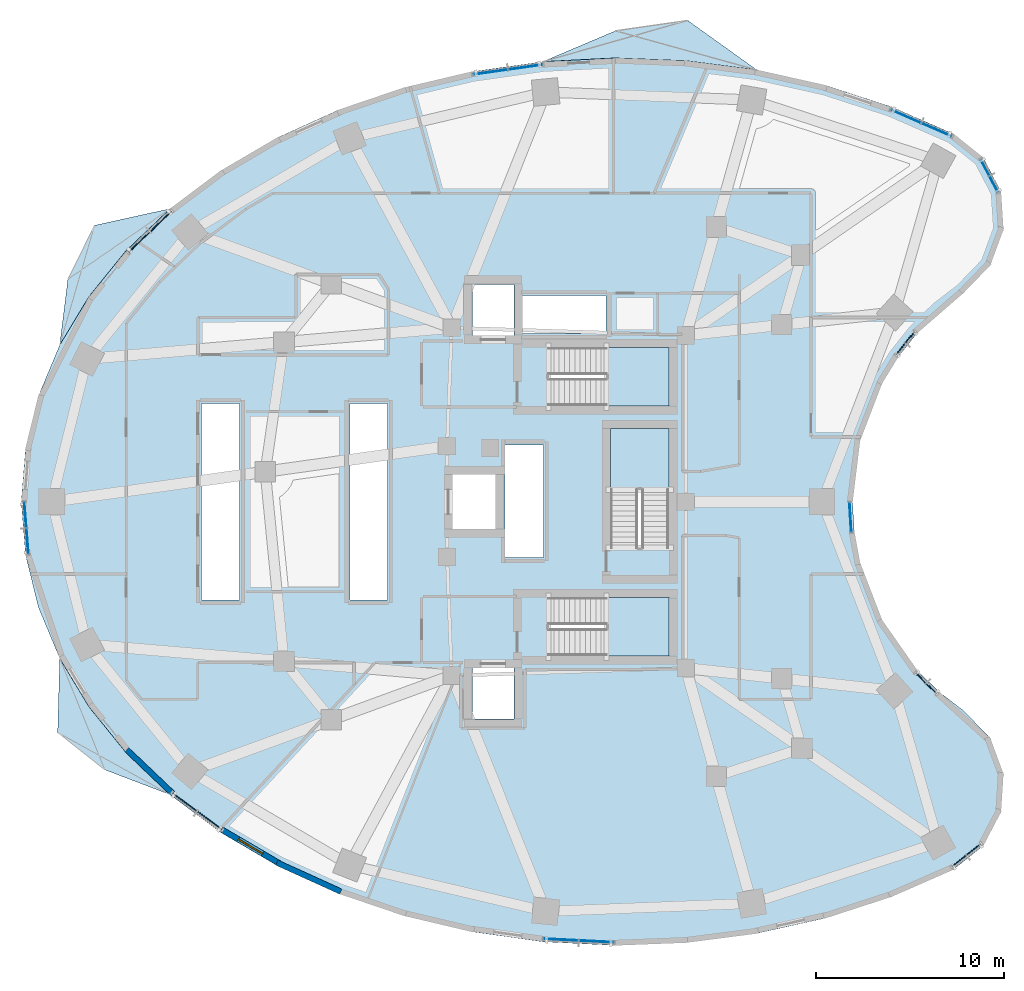
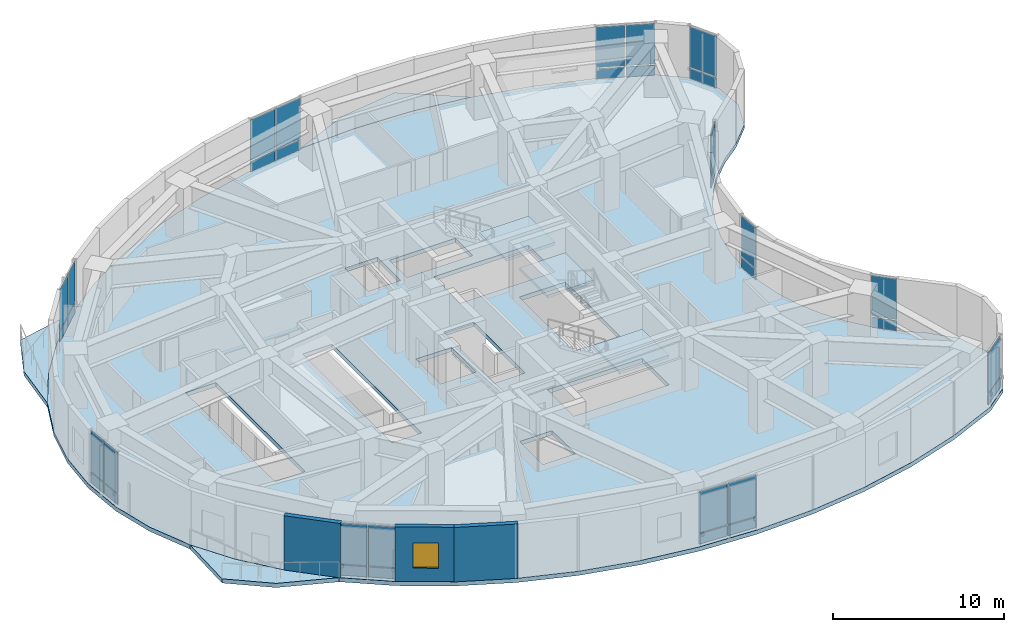
# One storey, part 6 of 13: 34 plates, 7 slabs, 3 walls, 1 window, 1 opening, 14 elements without a shape of their own.
"""IFC4 building model written with IfcOpenShell, lengths in metres."""

from ifc_helpers import new_model, si_unit, direction, frame, frame_2d, origin, origin_2d, place, context, subcontext, project, spatial, polyline, rectangle, outline, extrude, material, layer, layer_set, type_object, element, fill, aggregate, save


model = new_model("IFC4")

# Units and contexts
model_context = context("Model", 3, precision=1e-05, world=origin(), true_north=direction((0.0, 1.0)))
body_context = subcontext(model_context, "Body", "Model", "MODEL_VIEW")
ifc_project = project(units=[si_unit("LENGTHUNIT", "METRE"), si_unit("AREAUNIT", "SQUARE_METRE"), si_unit("VOLUMEUNIT", "CUBIC_METRE"), si_unit("PLANEANGLEUNIT", "RADIAN"), si_unit("MASSUNIT", "GRAM", prefix="KILO")], contexts=[model_context])

# Site, building, storey
site_placement = place(None, origin())
site = spatial("IfcSite", under=ifc_project, at=site_placement, CompositionType="ELEMENT")
building_placement = place(site_placement, origin())
building = spatial("IfcBuilding", under=site, at=building_placement, Name="Korentha Bioscience Tower", CompositionType="ELEMENT")
storey_placement = place(building_placement, frame((0.0, 0.0, 80.39990234375)))
storey = spatial("IfcBuildingStorey", under=building, at=storey_placement, Name="L18", CompositionType="ELEMENT", Elevation=80.39990234375)

# Curtain wall, plates
ifc_material_1 = material(Name="Thermally Broken Aluminium Frame", Category="aluminium")
ifc_layer_1 = layer(ifc_material_1, 0.219970703125, Name="Thermally Broken Aluminium Frame")
ifc_layer_set_1 = layer_set([ifc_layer_1], Name="Thermally Broken Aluminium Frame (CW-T2)")
curtain_wall_type_1 = type_object("IfcCurtainWallType", Name="Solar-Screened Lab Unitised Curtain Wall CW-T2", PredefinedType="USERDEFINED", material=ifc_layer_set_1)
curtain_wall_1_placement = place(storey_placement, origin())
curtain_wall_1 = element("IfcCurtainWall", 1, at=curtain_wall_1_placement, inside=storey, type_object=curtain_wall_type_1, Name="L18 Curtain Wall 01", ObjectType="UNITISED", PredefinedType="USERDEFINED")
ifc_material_2 = material(Name="Triple-Glazed Low-E Insulated Glass", Category="glass")
ifc_layer_2 = layer(ifc_material_2, 0.0439453125, Name="Triple-Glazed Low-E Insulated Glass")
ifc_layer_set_2 = layer_set([ifc_layer_2], Name="Triple-Glazed Low-E Insulated Glass (GL-44)")
plate_type = type_object("IfcPlateType", Name="Glazed Panel 44mm", PredefinedType="CURTAIN_PANEL", material=ifc_layer_set_2)
plate_1_placement = place(storey_placement, frame((50.893310546875, 46.780029296875, 0.08984375), z_axis=(0.0, 0.0, 1.0), x_axis=(-0.91593909057, 0.401317308828, 0.0)))
plate_1 = element("IfcPlate", 2, at=plate_1_placement, type_object=plate_type, Name="CW-L18-01 Bay 1 Glazed Panel 1", PredefinedType="CURTAIN_PANEL", context=body_context, shape_type="SweptSolid", body=[
    extrude(rectangle(XDim=1.701171875, YDim=0.0439453125, at=origin_2d()), origin(), (0.0, 0.0, 1.0), 0.715087890625),
])
plate_2_placement = place(storey_placement, frame((50.893310546875, 46.780029296875, 0.89501953125), z_axis=(0.0, 0.0, 1.0), x_axis=(-0.91593909057, 0.401317308828, 0.0)))
plate_2 = element("IfcPlate", 3, at=plate_2_placement, type_object=plate_type, Name="CW-L18-01 Bay 1 Glazed Panel 2", PredefinedType="CURTAIN_PANEL", context=body_context, shape_type="SweptSolid", body=[
    extrude(rectangle(XDim=1.701171875, YDim=0.0439453125, at=origin_2d()), origin(), (0.0, 0.0, 1.0), 2.89501953125),
])
plate_3_placement = place(storey_placement, frame((49.25244140625, 47.498779296875, 0.08984375), z_axis=(0.0, 0.0, 1.0), x_axis=(-0.91593909057, 0.401317308828, 0.0)))
plate_3 = element("IfcPlate", 4, at=plate_3_placement, type_object=plate_type, Name="CW-L18-01 Bay 2 Glazed Panel 1", PredefinedType="CURTAIN_PANEL", context=body_context, shape_type="SweptSolid", body=[
    extrude(rectangle(XDim=1.701171875, YDim=0.0439453125, at=origin_2d()), origin(), (0.0, 0.0, 1.0), 0.715087890625),
])
plate_4_placement = place(storey_placement, frame((49.25244140625, 47.498779296875, 0.89501953125), z_axis=(0.0, 0.0, 1.0), x_axis=(-0.91593909057, 0.401317308828, 0.0)))
plate_4 = element("IfcPlate", 5, at=plate_4_placement, type_object=plate_type, Name="CW-L18-01 Bay 2 Glazed Panel 2", PredefinedType="CURTAIN_PANEL", context=body_context, shape_type="SweptSolid", body=[
    extrude(rectangle(XDim=1.701171875, YDim=0.0439453125, at=origin_2d()), origin(), (0.0, 0.0, 1.0), 2.89501953125),
])
aggregate(curtain_wall_1, [plate_1, plate_2, plate_3, plate_4])

curtain_wall_2_placement = place(storey_placement, origin())
curtain_wall_2 = element("IfcCurtainWall", 6, at=curtain_wall_2_placement, inside=storey, type_object=curtain_wall_type_1, Name="L18 Curtain Wall 07", ObjectType="UNITISED", PredefinedType="USERDEFINED")
plate_5_placement = place(storey_placement, frame((29.0224609375, 50.11572265625, 0.08984375), z_axis=(0.0, 0.0, 1.0), x_axis=(-0.990167372968, -0.139887717511, 0.0)))
plate_5 = element("IfcPlate", 7, at=plate_5_placement, type_object=plate_type, Name="CW-L18-07 Bay 1 Glazed Panel 1", PredefinedType="CURTAIN_PANEL", context=body_context, shape_type="SweptSolid", body=[
    extrude(rectangle(XDim=1.800537109375, YDim=0.0439453125, at=origin_2d()), origin(), (0.0, 0.0, 1.0), 0.715087890625),
])
plate_6_placement = place(storey_placement, frame((29.0224609375, 50.11572265625, 0.89501953125), z_axis=(0.0, 0.0, 1.0), x_axis=(-0.990167372968, -0.139887717511, 0.0)))
plate_6 = element("IfcPlate", 8, at=plate_6_placement, type_object=plate_type, Name="CW-L18-07 Bay 1 Glazed Panel 2", PredefinedType="CURTAIN_PANEL", context=body_context, shape_type="SweptSolid", body=[
    extrude(rectangle(XDim=1.800537109375, YDim=0.0439453125, at=origin_2d()), origin(), (0.0, 0.0, 1.0), 2.89501953125),
])
plate_7_placement = place(storey_placement, frame((27.150634765625, 49.851318359375, 0.08984375), z_axis=(0.0, 0.0, 1.0), x_axis=(-0.990167372968, -0.139887717511, 0.0)))
plate_7 = element("IfcPlate", 9, at=plate_7_placement, type_object=plate_type, Name="CW-L18-07 Bay 2 Glazed Panel 1", PredefinedType="CURTAIN_PANEL", context=body_context, shape_type="SweptSolid", body=[
    extrude(rectangle(XDim=1.800537109375, YDim=0.0439453125, at=origin_2d()), origin(), (0.0, 0.0, 1.0), 0.715087890625),
])
plate_8_placement = place(storey_placement, frame((27.150634765625, 49.851318359375, 0.89501953125), z_axis=(0.0, 0.0, 1.0), x_axis=(-0.990167372968, -0.139887717511, 0.0)))
plate_8 = element("IfcPlate", 10, at=plate_8_placement, type_object=plate_type, Name="CW-L18-07 Bay 2 Glazed Panel 2", PredefinedType="CURTAIN_PANEL", context=body_context, shape_type="SweptSolid", body=[
    extrude(rectangle(XDim=1.800537109375, YDim=0.0439453125, at=origin_2d()), origin(), (0.0, 0.0, 1.0), 2.89501953125),
])
aggregate(curtain_wall_2, [plate_5, plate_6, plate_7, plate_8])

curtain_wall_3_placement = place(storey_placement, origin())
curtain_wall_3 = element("IfcCurtainWall", 11, at=curtain_wall_3_placement, inside=storey, type_object=curtain_wall_type_1, Name="L18 Curtain Wall 13", ObjectType="UNITISED", PredefinedType="USERDEFINED")
plate_9_placement = place(storey_placement, frame((9.643798828125, 41.9091796875, 0.08984375), z_axis=(0.0, 0.0, 1.0), x_axis=(-0.723641761581, -0.690175775361, 0.0)))
plate_9 = element("IfcPlate", 12, at=plate_9_placement, type_object=plate_type, Name="CW-L18-13 Bay 1 Glazed Panel 1", PredefinedType="CURTAIN_PANEL", context=body_context, shape_type="SweptSolid", body=[
    extrude(rectangle(XDim=1.5263671875, YDim=0.0439453125, at=origin_2d()), origin(), (0.0, 0.0, 1.0), 0.715087890625),
])
plate_10_placement = place(storey_placement, frame((9.643798828125, 41.9091796875, 0.89501953125), z_axis=(0.0, 0.0, 1.0), x_axis=(-0.723641761581, -0.690175775361, 0.0)))
plate_10 = element("IfcPlate", 13, at=plate_10_placement, type_object=plate_type, Name="CW-L18-13 Bay 1 Glazed Panel 2", PredefinedType="CURTAIN_PANEL", context=body_context, shape_type="SweptSolid", body=[
    extrude(rectangle(XDim=1.5263671875, YDim=0.0439453125, at=origin_2d()), origin(), (0.0, 0.0, 1.0), 2.89501953125),
])
plate_11_placement = place(storey_placement, frame((8.47412109375, 40.793701171875, 0.08984375), z_axis=(0.0, 0.0, 1.0), x_axis=(-0.723641761581, -0.690175775361, 0.0)))
plate_11 = element("IfcPlate", 14, at=plate_11_placement, type_object=plate_type, Name="CW-L18-13 Bay 2 Glazed Panel 1", PredefinedType="CURTAIN_PANEL", context=body_context, shape_type="SweptSolid", body=[
    extrude(rectangle(XDim=1.5263671875, YDim=0.0439453125, at=origin_2d()), origin(), (0.0, 0.0, 1.0), 0.715087890625),
])
plate_12_placement = place(storey_placement, frame((8.47412109375, 40.793701171875, 0.89501953125), z_axis=(0.0, 0.0, 1.0), x_axis=(-0.723641761581, -0.690175775361, 0.0)))
plate_12 = element("IfcPlate", 15, at=plate_12_placement, type_object=plate_type, Name="CW-L18-13 Bay 2 Glazed Panel 2", PredefinedType="CURTAIN_PANEL", context=body_context, shape_type="SweptSolid", body=[
    extrude(rectangle(XDim=1.5263671875, YDim=0.0439453125, at=origin_2d()), origin(), (0.0, 0.0, 1.0), 2.89501953125),
])
aggregate(curtain_wall_3, [plate_9, plate_10, plate_11, plate_12])

curtain_wall_4_placement = place(storey_placement, origin())
curtain_wall_4 = element("IfcCurtainWall", 16, at=curtain_wall_4_placement, inside=storey, type_object=curtain_wall_type_1, Name="L18 Curtain Wall 19", ObjectType="UNITISED", PredefinedType="USERDEFINED")
plate_13_placement = place(storey_placement, frame((2.4169921875, 26.302734375, 0.08984375), z_axis=(0.0, 0.0, 1.0), x_axis=(0.080820466375, -0.996728675325, 0.0)))
plate_13 = element("IfcPlate", 17, at=plate_13_placement, type_object=plate_type, Name="CW-L18-19 Bay 1 Glazed Panel 1", PredefinedType="CURTAIN_PANEL", context=body_context, shape_type="SweptSolid", body=[
    extrude(rectangle(XDim=1.324951171875, YDim=0.0439453125, at=origin_2d()), origin(), (0.0, 0.0, 1.0), 0.715087890625),
])
plate_14_placement = place(storey_placement, frame((2.4169921875, 26.302734375, 0.89501953125), z_axis=(0.0, 0.0, 1.0), x_axis=(0.080820466375, -0.996728675325, 0.0)))
plate_14 = element("IfcPlate", 18, at=plate_14_placement, type_object=plate_type, Name="CW-L18-19 Bay 1 Glazed Panel 2", PredefinedType="CURTAIN_PANEL", context=body_context, shape_type="SweptSolid", body=[
    extrude(rectangle(XDim=1.324951171875, YDim=0.0439453125, at=origin_2d()), origin(), (0.0, 0.0, 1.0), 2.89501953125),
])
plate_15_placement = place(storey_placement, frame((2.531494140625, 24.892333984375, 0.08984375), z_axis=(0.0, 0.0, 1.0), x_axis=(0.080820466375, -0.996728675325, 0.0)))
plate_15 = element("IfcPlate", 19, at=plate_15_placement, type_object=plate_type, Name="CW-L18-19 Bay 2 Glazed Panel 1", PredefinedType="CURTAIN_PANEL", context=body_context, shape_type="SweptSolid", body=[
    extrude(rectangle(XDim=1.324951171875, YDim=0.0439453125, at=origin_2d()), origin(), (0.0, 0.0, 1.0), 0.715087890625),
])
plate_16_placement = place(storey_placement, frame((2.531494140625, 24.892333984375, 0.89501953125), z_axis=(0.0, 0.0, 1.0), x_axis=(0.080820466375, -0.996728675325, 0.0)))
plate_16 = element("IfcPlate", 20, at=plate_16_placement, type_object=plate_type, Name="CW-L18-19 Bay 2 Glazed Panel 2", PredefinedType="CURTAIN_PANEL", context=body_context, shape_type="SweptSolid", body=[
    extrude(rectangle(XDim=1.324951171875, YDim=0.0439453125, at=origin_2d()), origin(), (0.0, 0.0, 1.0), 2.89501953125),
])
aggregate(curtain_wall_4, [plate_13, plate_14, plate_15, plate_16])

curtain_wall_5_placement = place(storey_placement, origin())
curtain_wall_5 = element("IfcCurtainWall", 21, at=curtain_wall_5_placement, inside=storey, type_object=curtain_wall_type_1, Name="L18 Curtain Wall 25", ObjectType="UNITISED", PredefinedType="USERDEFINED")
plate_17_placement = place(storey_placement, frame((10.892578125, 11.037109375, 0.08984375), z_axis=(0.0, 0.0, 1.0), x_axis=(0.800797909614, -0.598934644145, 0.0)))
plate_17 = element("IfcPlate", 22, at=plate_17_placement, type_object=plate_type, Name="CW-L18-25 Bay 1 Glazed Panel 1", PredefinedType="CURTAIN_PANEL", context=body_context, shape_type="SweptSolid", body=[
    extrude(rectangle(XDim=1.58544921875, YDim=0.0439453125, at=origin_2d()), origin(), (0.0, 0.0, 1.0), 0.715087890625),
])
plate_18_placement = place(storey_placement, frame((10.892578125, 11.037109375, 0.89501953125), z_axis=(0.0, 0.0, 1.0), x_axis=(0.800797909614, -0.598934644145, 0.0)))
plate_18 = element("IfcPlate", 23, at=plate_18_placement, type_object=plate_type, Name="CW-L18-25 Bay 1 Glazed Panel 2", PredefinedType="CURTAIN_PANEL", context=body_context, shape_type="SweptSolid", body=[
    extrude(rectangle(XDim=1.58544921875, YDim=0.0439453125, at=origin_2d()), origin(), (0.0, 0.0, 1.0), 2.89501953125),
])
plate_19_placement = place(storey_placement, frame((12.234375, 10.033447265625, 0.08984375), z_axis=(0.0, 0.0, 1.0), x_axis=(0.800797909614, -0.598934644145, 0.0)))
plate_19 = element("IfcPlate", 24, at=plate_19_placement, type_object=plate_type, Name="CW-L18-25 Bay 2 Glazed Panel 1", PredefinedType="CURTAIN_PANEL", context=body_context, shape_type="SweptSolid", body=[
    extrude(rectangle(XDim=1.58544921875, YDim=0.0439453125, at=origin_2d()), origin(), (0.0, 0.0, 1.0), 0.715087890625),
])
plate_20_placement = place(storey_placement, frame((12.234375, 10.033447265625, 0.89501953125), z_axis=(0.0, 0.0, 1.0), x_axis=(0.800797909614, -0.598934644145, 0.0)))
plate_20 = element("IfcPlate", 25, at=plate_20_placement, type_object=plate_type, Name="CW-L18-25 Bay 2 Glazed Panel 2", PredefinedType="CURTAIN_PANEL", context=body_context, shape_type="SweptSolid", body=[
    extrude(rectangle(XDim=1.58544921875, YDim=0.0439453125, at=origin_2d()), origin(), (0.0, 0.0, 1.0), 2.89501953125),
])
aggregate(curtain_wall_5, [plate_17, plate_18, plate_19, plate_20])

curtain_wall_6_placement = place(storey_placement, origin())
curtain_wall_6 = element("IfcCurtainWall", 26, at=curtain_wall_6_placement, inside=storey, type_object=curtain_wall_type_1, Name="L18 Curtain Wall 31", ObjectType="UNITISED", PredefinedType="USERDEFINED")
plate_21_placement = place(storey_placement, frame((30.90478515625, 3.70458984375, 0.08984375), z_axis=(0.0, 0.0, 1.0), x_axis=(0.998730551641, -0.050371472279, 0.0)))
plate_21 = element("IfcPlate", 27, at=plate_21_placement, type_object=plate_type, Name="CW-L18-31 Bay 1 Glazed Panel 1", PredefinedType="CURTAIN_PANEL", context=body_context, shape_type="SweptSolid", body=[
    extrude(rectangle(XDim=1.8134765625, YDim=0.0439453125, at=origin_2d()), origin(), (0.0, 0.0, 1.0), 0.715087890625),
])
plate_22_placement = place(storey_placement, frame((30.90478515625, 3.70458984375, 0.89501953125), z_axis=(0.0, 0.0, 1.0), x_axis=(0.998730551641, -0.050371472279, 0.0)))
plate_22 = element("IfcPlate", 28, at=plate_22_placement, type_object=plate_type, Name="CW-L18-31 Bay 1 Glazed Panel 2", PredefinedType="CURTAIN_PANEL", context=body_context, shape_type="SweptSolid", body=[
    extrude(rectangle(XDim=1.8134765625, YDim=0.0439453125, at=origin_2d()), origin(), (0.0, 0.0, 1.0), 2.89501953125),
])
plate_23_placement = place(storey_placement, frame((32.805908203125, 3.608642578125, 0.08984375), z_axis=(0.0, 0.0, 1.0), x_axis=(0.998730551641, -0.050371472279, 0.0)))
plate_23 = element("IfcPlate", 29, at=plate_23_placement, type_object=plate_type, Name="CW-L18-31 Bay 2 Glazed Panel 1", PredefinedType="CURTAIN_PANEL", context=body_context, shape_type="SweptSolid", body=[
    extrude(rectangle(XDim=1.8134765625, YDim=0.0439453125, at=origin_2d()), origin(), (0.0, 0.0, 1.0), 0.715087890625),
])
plate_24_placement = place(storey_placement, frame((32.805908203125, 3.608642578125, 0.89501953125), z_axis=(0.0, 0.0, 1.0), x_axis=(0.998730551641, -0.050371472279, 0.0)))
plate_24 = element("IfcPlate", 30, at=plate_24_placement, type_object=plate_type, Name="CW-L18-31 Bay 2 Glazed Panel 2", PredefinedType="CURTAIN_PANEL", context=body_context, shape_type="SweptSolid", body=[
    extrude(rectangle(XDim=1.8134765625, YDim=0.0439453125, at=origin_2d()), origin(), (0.0, 0.0, 1.0), 2.89501953125),
])
aggregate(curtain_wall_6, [plate_21, plate_22, plate_23, plate_24])

curtain_wall_7_placement = place(storey_placement, origin())
curtain_wall_7 = element("IfcCurtainWall", 31, at=curtain_wall_7_placement, inside=storey, type_object=curtain_wall_type_1, Name="L18 Curtain Wall 37", ObjectType="UNITISED", PredefinedType="USERDEFINED")
plate_25_placement = place(storey_placement, frame((52.4755859375, 8.19140625, 0.08984375), z_axis=(0.0, 0.0, 1.0), x_axis=(0.782287851332, 0.62291710336, 0.0)))
plate_25 = element("IfcPlate", 32, at=plate_25_placement, type_object=plate_type, Name="CW-L18-37 Bay 1 Glazed Panel 1", PredefinedType="CURTAIN_PANEL", context=body_context, shape_type="SweptSolid", body=[
    extrude(rectangle(XDim=1.927734375, YDim=0.0439453125, at=origin_2d()), origin(), (0.0, 0.0, 1.0), 0.715087890625),
])
plate_26_placement = place(storey_placement, frame((52.4755859375, 8.19140625, 0.89501953125), z_axis=(0.0, 0.0, 1.0), x_axis=(0.782287851332, 0.62291710336, 0.0)))
plate_26 = element("IfcPlate", 33, at=plate_26_placement, type_object=plate_type, Name="CW-L18-37 Bay 1 Glazed Panel 2", PredefinedType="CURTAIN_PANEL", context=body_context, shape_type="SweptSolid", body=[
    extrude(rectangle(XDim=1.927734375, YDim=0.0439453125, at=origin_2d()), origin(), (0.0, 0.0, 1.0), 2.89501953125),
])
aggregate(curtain_wall_7, [plate_25, plate_26])

curtain_wall_8_placement = place(storey_placement, origin())
curtain_wall_8 = element("IfcCurtainWall", 34, at=curtain_wall_8_placement, inside=storey, type_object=curtain_wall_type_1, Name="L18 Curtain Wall 43", ObjectType="UNITISED", PredefinedType="USERDEFINED")
plate_27_placement = place(storey_placement, frame((50.333251953125, 17.335693359375, 0.08984375), z_axis=(0.0, 0.0, 1.0), x_axis=(-0.713279246754, 0.700879958445, 0.0)))
plate_27 = element("IfcPlate", 35, at=plate_27_placement, type_object=plate_type, Name="CW-L18-43 Bay 1 Glazed Panel 1", PredefinedType="CURTAIN_PANEL", context=body_context, shape_type="SweptSolid", body=[
    extrude(rectangle(XDim=1.537841796875, YDim=0.0439453125, at=origin_2d()), origin(), (0.0, 0.0, 1.0), 0.715087890625),
])
plate_28_placement = place(storey_placement, frame((50.333251953125, 17.335693359375, 0.89501953125), z_axis=(0.0, 0.0, 1.0), x_axis=(-0.713279246754, 0.700879958445, 0.0)))
plate_28 = element("IfcPlate", 36, at=plate_28_placement, type_object=plate_type, Name="CW-L18-43 Bay 1 Glazed Panel 2", PredefinedType="CURTAIN_PANEL", context=body_context, shape_type="SweptSolid", body=[
    extrude(rectangle(XDim=1.537841796875, YDim=0.0439453125, at=origin_2d()), origin(), (0.0, 0.0, 1.0), 2.89501953125),
])
aggregate(curtain_wall_8, [plate_27, plate_28])

ifc_layer_3 = layer(ifc_material_1, 0.219970703125, Name="Thermally Broken Aluminium Frame")
ifc_layer_set_3 = layer_set([ifc_layer_3], Name="Thermally Broken Aluminium Frame (CW-T1)")
curtain_wall_type_2 = type_object("IfcCurtainWallType", Name="Standard Bioscience Lab Unitised Curtain Wall CW-T1", PredefinedType="USERDEFINED", material=ifc_layer_set_3)
curtain_wall_9_placement = place(storey_placement, origin())
curtain_wall_9 = element("IfcCurtainWall", 37, at=curtain_wall_9_placement, inside=storey, type_object=curtain_wall_type_2, Name="L18 Curtain Wall 49", ObjectType="UNITISED", PredefinedType="USERDEFINED")
plate_29_placement = place(storey_placement, frame((46.305908203125, 26.1728515625, 0.08984375), z_axis=(0.0, 0.0, 1.0), x_axis=(-0.061008272998, 0.998137260413, 0.0)))
plate_29 = element("IfcPlate", 38, at=plate_29_placement, type_object=plate_type, Name="CW-L18-49 Bay 1 Glazed Panel 1", PredefinedType="CURTAIN_PANEL", context=body_context, shape_type="SweptSolid", body=[
    extrude(rectangle(XDim=1.537841796875, YDim=0.0439453125, at=origin_2d()), origin(), (0.0, 0.0, 1.0), 0.715087890625),
])
plate_30_placement = place(storey_placement, frame((46.305908203125, 26.1728515625, 0.89501953125), z_axis=(0.0, 0.0, 1.0), x_axis=(-0.061008272998, 0.998137260413, 0.0)))
plate_30 = element("IfcPlate", 39, at=plate_30_placement, type_object=plate_type, Name="CW-L18-49 Bay 1 Glazed Panel 2", PredefinedType="CURTAIN_PANEL", context=body_context, shape_type="SweptSolid", body=[
    extrude(rectangle(XDim=1.537841796875, YDim=0.0439453125, at=origin_2d()), origin(), (0.0, 0.0, 1.0), 2.89501953125),
])
aggregate(curtain_wall_9, [plate_29, plate_30])

curtain_wall_10_placement = place(storey_placement, origin())
curtain_wall_10 = element("IfcCurtainWall", 40, at=curtain_wall_10_placement, inside=storey, type_object=curtain_wall_type_1, Name="L18 Curtain Wall 55", ObjectType="UNITISED", PredefinedType="USERDEFINED")
plate_31_placement = place(storey_placement, frame((49.226318359375, 35.434814453125, 0.08984375), z_axis=(0.0, 0.0, 1.0), x_axis=(0.622520324648, 0.782603632371, 0.0)))
plate_31 = element("IfcPlate", 41, at=plate_31_placement, type_object=plate_type, Name="CW-L18-55 Bay 1 Glazed Panel 1", PredefinedType="CURTAIN_PANEL", context=body_context, shape_type="SweptSolid", body=[
    extrude(rectangle(XDim=1.537841796875, YDim=0.0439453125, at=origin_2d()), origin(), (0.0, 0.0, 1.0), 0.715087890625),
])
plate_32_placement = place(storey_placement, frame((49.226318359375, 35.434814453125, 0.89501953125), z_axis=(0.0, 0.0, 1.0), x_axis=(0.622520324648, 0.782603632371, 0.0)))
plate_32 = element("IfcPlate", 42, at=plate_32_placement, type_object=plate_type, Name="CW-L18-55 Bay 1 Glazed Panel 2", PredefinedType="CURTAIN_PANEL", context=body_context, shape_type="SweptSolid", body=[
    extrude(rectangle(XDim=1.537841796875, YDim=0.0439453125, at=origin_2d()), origin(), (0.0, 0.0, 1.0), 2.89501953125),
])
aggregate(curtain_wall_10, [plate_31, plate_32])

curtain_wall_11_placement = place(storey_placement, origin())
curtain_wall_11 = element("IfcCurtainWall", 43, at=curtain_wall_11_placement, inside=storey, type_object=curtain_wall_type_1, Name="L18 Curtain Wall 61", ObjectType="UNITISED", PredefinedType="USERDEFINED")
plate_33_placement = place(storey_placement, frame((53.6962890625, 44.32958984375, 0.08984375), z_axis=(0.0, 0.0, 1.0), x_axis=(-0.463008597697, 0.886353788539, 0.0)))
plate_33 = element("IfcPlate", 44, at=plate_33_placement, type_object=plate_type, Name="CW-L18-61 Bay 1 Glazed Panel 1", PredefinedType="CURTAIN_PANEL", context=body_context, shape_type="SweptSolid", body=[
    extrude(rectangle(XDim=1.927734375, YDim=0.0439453125, at=origin_2d()), origin(), (0.0, 0.0, 1.0), 0.715087890625),
])
plate_34_placement = place(storey_placement, frame((53.6962890625, 44.32958984375, 0.89501953125), z_axis=(0.0, 0.0, 1.0), x_axis=(-0.463008597697, 0.886353788539, 0.0)))
plate_34 = element("IfcPlate", 45, at=plate_34_placement, type_object=plate_type, Name="CW-L18-61 Bay 1 Glazed Panel 2", PredefinedType="CURTAIN_PANEL", context=body_context, shape_type="SweptSolid", body=[
    extrude(rectangle(XDim=1.927734375, YDim=0.0439453125, at=origin_2d()), origin(), (0.0, 0.0, 1.0), 2.89501953125),
])
aggregate(curtain_wall_11, [plate_33, plate_34])

# Slab
ifc_material_3 = material(Name="Concrete C50", Category="concrete")
ifc_layer_4 = layer(ifc_material_3, 0.300048828125, Name="Concrete C50")
ifc_layer_set_4 = layer_set([ifc_layer_4], Name="Concrete C50 (SL-L300)")
slab_type_1 = type_object("IfcSlabType", Name="Laboratory Vibration-Controlled Slab 300", PredefinedType="FLOOR", material=ifc_layer_set_4)
slab_1_placement = place(storey_placement, frame((0.0, 0.0, -0.2998046875)))
element("IfcSlab", 46, at=slab_1_placement, inside=storey, type_object=slab_type_1, Name="L18 Tower Structural Floor Slab", PredefinedType="FLOOR", context=body_context, shape_type="SweptSolid", body=[
    extrude(outline(polyline([(51.7822265625, 46.565185546875), (48.49169921875, 48.0068359375), (44.9921875, 49.145263671875), (41.33349609375, 49.9638671875), (37.569091796875, 50.450927734375), (33.75341796875, 50.599365234375), (29.94091796875, 50.406982421875), (26.187255859375, 49.876708984375), (22.54638671875, 49.01611328125), (19.07080078125, 47.837646484375), (15.810791015625, 46.358154296875), (12.8134765625, 44.599365234375), (10.1220703125, 42.58642578125), (7.775390625, 40.348388671875), (5.807373046875, 37.91748046875), (4.246337890625, 35.3291015625), (3.114990234375, 32.62060546875), (2.4296875, 29.830810546875), (2.199951171875, 27.0), (2.4296875, 24.169189453125), (3.114990234375, 21.37939453125), (4.246337890625, 18.6708984375), (5.807373046875, 16.08251953125), (7.775390625, 13.651611328125), (10.1220703125, 11.41357421875), (12.8134765625, 9.400634765625), (15.810791015625, 7.641845703125), (19.07080078125, 6.162353515625), (22.54638671875, 4.98388671875), (26.187255859375, 4.123291015625), (29.94091796875, 3.593017578125), (33.75341796875, 3.400634765625), (37.569091796875, 3.549072265625), (41.33349609375, 4.0361328125), (44.9921875, 4.854736328125), (48.49169921875, 5.9931640625), (51.7822265625, 7.434814453125), (53.368408203125, 8.69775390625), (54.307373046875, 10.4951171875), (54.4384765625, 12.518310546875), (53.739013671875, 14.421630859375), (52.3291015625, 15.878662109375), (51.029541015625, 16.875732421875), (49.861328125, 18.023681640625), (48.841796875, 19.3056640625), (47.98583984375, 20.7021484375), (47.306640625, 22.192626953125), (46.814208984375, 23.754638671875), (46.515625, 25.365234375), (46.415771484375, 27.0), (46.515625, 28.634765625), (46.814208984375, 30.245361328125), (47.306640625, 31.807373046875), (47.98583984375, 33.2978515625), (48.841796875, 34.6943359375), (49.861328125, 35.976318359375), (51.029541015625, 37.124267578125), (52.3291015625, 38.121337890625), (53.739013671875, 39.578369140625), (54.4384765625, 41.481689453125), (54.307373046875, 43.5048828125), (53.368408203125, 45.30224609375), (51.7822265625, 46.565185546875)]), holes=[polyline([(30.25, 32.10009765625), (36.64990234375, 32.10009765625), (36.64990234375, 35.199951171875), (30.25, 35.199951171875), (30.25, 32.10009765625)]), polyline([(30.25, 18.800048828125), (36.64990234375, 18.800048828125), (36.64990234375, 21.89990234375), (30.25, 21.89990234375), (30.25, 18.800048828125)]), polyline([(36.64990234375, 24.550048828125), (36.64990234375, 30.89990234375), (33.550048828125, 30.89990234375), (33.550048828125, 24.550048828125), (36.64990234375, 24.550048828125)]), polyline([(11.780029296875, 21.780029296875), (13.820068359375, 21.780029296875), (13.820068359375, 32.219970703125), (11.780029296875, 32.219970703125), (11.780029296875, 21.780029296875)]), polyline([(19.679931640625, 21.780029296875), (21.669921875, 21.780029296875), (21.669921875, 32.219970703125), (19.679931640625, 32.219970703125), (19.679931640625, 21.780029296875)]), polyline([(27.929931640625, 24.030029296875), (29.969970703125, 24.030029296875), (29.969970703125, 30.02001953125), (27.929931640625, 30.02001953125), (27.929931640625, 24.030029296875)]), polyline([(28.860107421875, 35.93994140625), (33.31005859375, 35.93994140625), (33.31005859375, 37.9599609375), (28.860107421875, 37.9599609375), (28.860107421875, 35.93994140625)]), polyline([(26.199951171875, 15.449951171875), (28.39990234375, 15.449951171875), (28.39990234375, 18.14990234375), (26.199951171875, 18.14990234375), (26.199951171875, 15.449951171875)]), polyline([(26.199951171875, 35.85009765625), (28.39990234375, 35.85009765625), (28.39990234375, 38.550048828125), (26.199951171875, 38.550048828125), (26.199951171875, 35.85009765625)]), polyline([(25.14990234375, 25.550048828125), (27.550048828125, 25.550048828125), (27.550048828125, 28.449951171875), (25.14990234375, 28.449951171875), (25.14990234375, 25.550048828125)])]), origin(), (0.0, 0.0, 1.0), 0.2998046875),
])

# Stair, slab
ifc_material_4 = material(Name="Precast Concrete C50", Category="concrete")
stair_type = type_object("IfcStairType", Name="Core Exit Dog-Leg Stair 1450", PredefinedType="HALF_TURN_STAIR", material=ifc_material_4)
stair_1_placement = place(storey_placement, origin())
stair_1 = element("IfcStair", 47, at=stair_1_placement, inside=storey, type_object=stair_type, Name="L18 Tower North Pressurized Exit Stair ST-1", PredefinedType="HALF_TURN_STAIR")
ifc_layer_5 = layer(ifc_material_3, 0.199951171875, Name="Concrete C50")
ifc_layer_set_5 = layer_set([ifc_layer_5], Name="Concrete C50 (SL-LND)")
slab_type_2 = type_object("IfcSlabType", Name="Landing Slab 200", PredefinedType="LANDING", material=ifc_layer_set_5)
slab_2_placement = place(storey_placement, frame((0.0, 0.0, 1.900146484375)))
slab_2 = element("IfcSlab", 48, at=slab_2_placement, type_object=slab_type_2, Name="ST-1 landing 1", PredefinedType="LANDING", context=body_context, shape_type="SweptSolid", body=[
    extrude(outline(polyline([(33.330078125, 32.10009765625), (36.64990234375, 32.10009765625), (36.64990234375, 35.199951171875), (33.330078125, 35.199951171875), (33.330078125, 32.10009765625)])), origin(), (0.0, 0.0, 1.0), 0.199951171875),
])
aggregate(stair_1, [slab_2])

stair_2_placement = place(storey_placement, origin())
stair_2 = element("IfcStair", 49, at=stair_2_placement, inside=storey, type_object=stair_type, Name="L18 Tower South Pressurized Exit Stair ST-2", PredefinedType="HALF_TURN_STAIR")
slab_3_placement = place(storey_placement, frame((0.0, 0.0, 1.900146484375)))
slab_3 = element("IfcSlab", 50, at=slab_3_placement, type_object=slab_type_2, Name="ST-2 landing 1", PredefinedType="LANDING", context=body_context, shape_type="SweptSolid", body=[
    extrude(outline(polyline([(33.330078125, 18.800048828125), (36.64990234375, 18.800048828125), (36.64990234375, 21.89990234375), (33.330078125, 21.89990234375), (33.330078125, 18.800048828125)])), origin(), (0.0, 0.0, 1.0), 0.199951171875),
])
aggregate(stair_2, [slab_3])

stair_3_placement = place(storey_placement, origin())
stair_3 = element("IfcStair", 51, at=stair_3_placement, inside=storey, type_object=stair_type, Name="L18 Tower Central Pressurized Exit Stair ST-3", PredefinedType="HALF_TURN_STAIR")
slab_4_placement = place(storey_placement, frame((0.0, 0.0, 1.900146484375)))
slab_4 = element("IfcSlab", 52, at=slab_4_placement, type_object=slab_type_2, Name="ST-3 landing 1", PredefinedType="LANDING", context=body_context, shape_type="SweptSolid", body=[
    extrude(outline(polyline([(36.64990234375, 27.6298828125), (36.64990234375, 30.89990234375), (33.550048828125, 30.89990234375), (33.550048828125, 27.6298828125), (36.64990234375, 27.6298828125)])), origin(), (0.0, 0.0, 1.0), 0.199951171875),
])
aggregate(stair_3, [slab_4])

# Slabs
ifc_layer_6 = layer(ifc_material_3, 0.300048828125, Name="Concrete C50")
ifc_layer_set_6 = layer_set([ifc_layer_6], Name="Concrete C50 (BS-240)")
slab_type_3 = type_object("IfcSlabType", Name="Sawtooth Sun-Ledge Balcony Slab 240", PredefinedType="USERDEFINED", material=ifc_layer_set_6)
slab_5_placement = place(storey_placement, frame((0.0, 0.0, -0.2998046875)))
element("IfcSlab", 53, at=slab_5_placement, inside=storey, type_object=slab_type_3, Name="L18 Sun-Ledge Balcony 01", ObjectType="BALCONY", PredefinedType="USERDEFINED", context=body_context, shape_type="SweptSolid", body=[
    extrude(outline(polyline([(29.94091796875, 50.406982421875), (33.75341796875, 50.599365234375), (37.569091796875, 50.450927734375), (41.33349609375, 49.9638671875), (37.65283203125, 52.599365234375), (33.809814453125, 52.048095703125), (29.94091796875, 50.406982421875)])), origin(), (0.0, 0.0, 1.0), 0.2998046875),
])
slab_6_placement = place(storey_placement, frame((0.0, 0.0, -0.2998046875)))
element("IfcSlab", 54, at=slab_6_placement, inside=storey, type_object=slab_type_3, Name="L18 Sun-Ledge Balcony 02", ObjectType="BALCONY", PredefinedType="USERDEFINED", context=body_context, shape_type="SweptSolid", body=[
    extrude(outline(polyline([(4.246337890625, 35.3291015625), (5.807373046875, 37.91748046875), (7.775390625, 40.348388671875), (10.1220703125, 42.58642578125), (6.104248046875, 41.701171875), (4.680419921875, 38.830078125), (4.246337890625, 35.3291015625)])), origin(), (0.0, 0.0, 1.0), 0.2998046875),
])
slab_7_placement = place(storey_placement, frame((0.0, 0.0, -0.2998046875)))
element("IfcSlab", 55, at=slab_7_placement, inside=storey, type_object=slab_type_3, Name="L18 Sun-Ledge Balcony 03", ObjectType="BALCONY", PredefinedType="USERDEFINED", context=body_context, shape_type="SweptSolid", body=[
    extrude(outline(polyline([(10.1220703125, 11.41357421875), (7.775390625, 13.651611328125), (5.807373046875, 16.08251953125), (4.246337890625, 18.6708984375), (4.13623046875, 14.7294921875), (6.6484375, 12.7392578125), (10.1220703125, 11.41357421875)])), origin(), (0.0, 0.0, 1.0), 0.2998046875),
])

# Wall, opening, window
ifc_material_5 = material(Name="Honed Limestone Precast Concrete C40", Category="masonry")
ifc_layer_7 = layer(ifc_material_5, 0.300048828125, Name="Honed Limestone Precast Concrete C40")
ifc_layer_set_7 = layer_set([ifc_layer_7], Name="Honed Limestone Precast Concrete C40 (EW-ST300)")
wall_type = type_object("IfcWallType", Name="Honed Limestone Cavity Spandrel Wall 300", PredefinedType="STANDARD", material=ifc_layer_set_7)
wall_1_placement = place(storey_placement, frame((12.8427734375, 9.569091796875, 0.0), z_axis=(0.0, 0.0, 1.0), x_axis=(0.862473134325, -0.506102847817, 0.0)))
wall_1 = element("IfcWall", 56, at=wall_1_placement, inside=storey, type_object=wall_type, Name="L18 Honed Limestone Spandrel Wall 26", PredefinedType="STANDARD", context=body_context, shape_type="SweptSolid", body=[
    extrude(rectangle(XDim=3.59521484375, YDim=0.300048828125, at=frame_2d((1.797607421875, 0.0))), origin(), (0.0, 0.0, 1.0), 3.880126953125),
])
opening_placement = place(wall_1_placement, frame((1.047607421875, 0.0, 0.949951171875)))
opening = element("IfcOpeningElement", 57, at=opening_placement, cuts=wall_1, Name="Opening WN-02", PredefinedType="OPENING", context=body_context, shape_type="SweptSolid", body=[
    extrude(rectangle(XDim=1.5, YDim=1.800048828125, at=frame_2d((0.75, 0.89990234375))), frame((0.0, 0.1650390625, 0.0), z_axis=(0.0, -1.0, 0.0), x_axis=(1.0, 0.0, 0.0)), (0.0, 0.0, 1.0), 0.329833984375),
])
ifc_material_6 = material(Name="Thermally Broken Aluminium Triple Glazing", Category="aluminium")
window_type = type_object("IfcWindowType", Name="Acoustic Operable Office Window 1500x1800", PartitioningType="DOUBLE_PANEL_VERTICAL", PredefinedType="WINDOW", material=ifc_material_6)
window_placement = place(opening_placement, origin())
window = element("IfcWindow", 58, at=window_placement, inside=storey, type_object=window_type, Name="L18 Facade Window 26", OverallHeight=1.800048828125, OverallWidth=1.5, PartitioningType="DOUBLE_PANEL_VERTICAL", PredefinedType="WINDOW", context=body_context, shape_type="SweptSolid", body=[
    extrude(rectangle(XDim=1.5, YDim=1.800048828125, at=frame_2d((0.75, 0.89990234375))), frame((0.0, 0.030029296875, 0.0), z_axis=(0.0, -1.0, 0.0), x_axis=(1.0, 0.0, 0.0)), (0.0, 0.0, 1.0), 0.06005859375),
])
fill(opening, window)

# Walls
wall_2_placement = place(storey_placement, frame((7.81396484375, 13.80810546875, 0.0), z_axis=(0.0, 0.0, 1.0), x_axis=(0.72369587847, -0.69011902994, 0.0)))
element("IfcWall", 59, at=wall_2_placement, inside=storey, type_object=wall_type, Name="L18 Limestone Perimeter Closure Wall 24", PredefinedType="STANDARD", context=body_context, shape_type="SweptSolid", body=[
    extrude(rectangle(XDim=3.40283203125, YDim=0.300048828125, at=frame_2d((1.701416015625, 0.0))), origin(), (0.0, 0.0, 1.0), 3.880126953125),
])
wall_3_placement = place(storey_placement, frame((15.7958984375, 7.80224609375, 0.0), z_axis=(0.0, 0.0, 1.0), x_axis=(0.910623406862, -0.413237233166, 0.0)))
element("IfcWall", 60, at=wall_3_placement, inside=storey, type_object=wall_type, Name="L18 Limestone Perimeter Closure Wall 27", PredefinedType="STANDARD", context=body_context, shape_type="SweptSolid", body=[
    extrude(rectangle(XDim=3.73974609375, YDim=0.300048828125, at=frame_2d((1.869873046875, 0.0))), origin(), (0.0, 0.0, 1.0), 3.880126953125),
])

save(model, "model.ifc")
